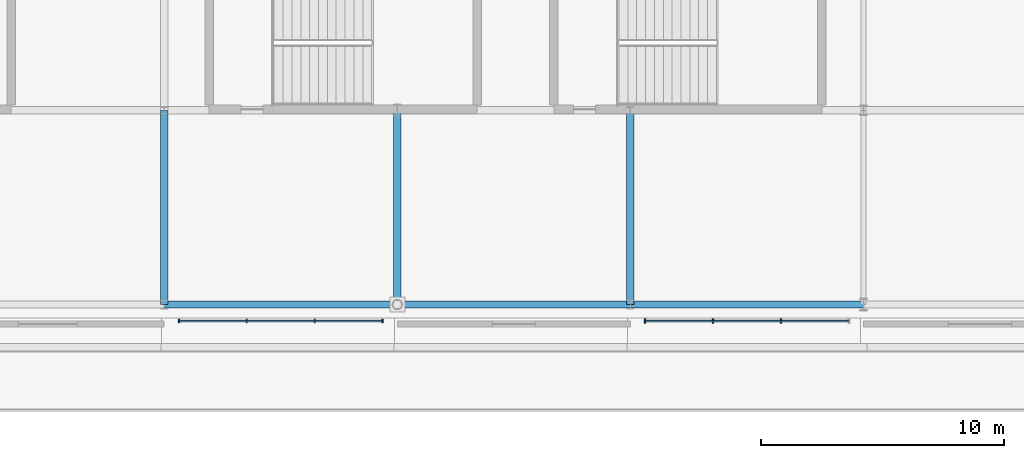
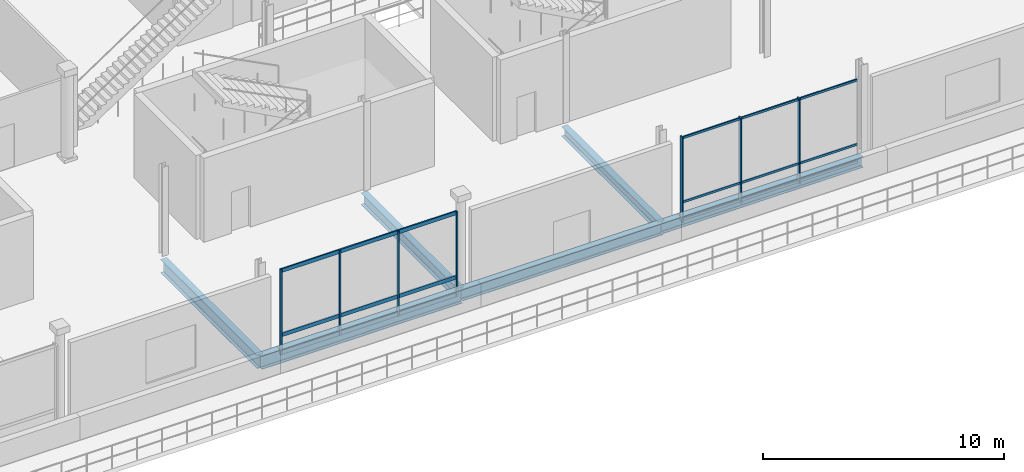
# One storey, part 15 of 36: 13 members, 6 beams, 2 elements without a shape of their own.
"""IFC4 building model written with IfcOpenShell, lengths in metres."""

from ifc_helpers import new_model, si_unit, direction, frame, origin, origin_2d, place, context, subcontext, project, spatial, rectangle, i_section, extrude, material, material_profile, profile_set, type_object, element, aggregate, save


model = new_model("IFC4")

# Units and contexts
model_context = context("Model", 3, precision=1e-05, world=origin(), true_north=direction((0.0, 1.0)))
body_context = subcontext(model_context, "Body", "Model", "MODEL_VIEW")
ifc_project = project(units=[si_unit("LENGTHUNIT", "METRE"), si_unit("AREAUNIT", "SQUARE_METRE"), si_unit("VOLUMEUNIT", "CUBIC_METRE"), si_unit("PLANEANGLEUNIT", "RADIAN"), si_unit("MASSUNIT", "GRAM", prefix="KILO")], contexts=[model_context])

# Site, building, storey
site_placement = place(None, origin())
site = spatial("IfcSite", under=ifc_project, at=site_placement, CompositionType="ELEMENT")
building_placement = place(site_placement, origin())
building = spatial("IfcBuilding", under=site, at=building_placement, Name="Danafjord Basin Convention Centre", CompositionType="ELEMENT")
storey_placement = place(building_placement, frame((0.0, 0.0, 20.39990234375)))
storey = spatial("IfcBuildingStorey", under=building, at=storey_placement, Name="L04", CompositionType="ELEMENT", Elevation=20.39990234375)

# Beams
ifc_material_1 = material(Name="Steel S355", Category="steel")
ifc_material_profile_1 = material_profile(ifc_material_1, i_section(OverallWidth=0.300048828125, OverallDepth=0.5, WebThickness=0.014404296875, FlangeThickness=0.028076171875, FilletRadius=0.027099609375, at=origin_2d()), Name="HEB 500")
ifc_profile_set_1 = profile_set([ifc_material_profile_1], Name="Steel S355")
beam_type_1 = type_object("IfcBeamType", Name="BEAM-BM-HEB500", PredefinedType="BEAM", material=ifc_profile_set_1)
beam_1_placement = place(storey_placement, frame((86.39990234375, 8.0, -0.473876953125), z_axis=(0.0, 1.0, 0.0), x_axis=(-1.0, 0.0, 0.0)))
element("IfcBeam", 1, at=beam_1_placement, inside=storey, type_object=beam_type_1, Name="L04 transverse girder BM-HEB500", PredefinedType="BEAM", context=body_context, shape_type="SweptSolid", body=[
    extrude(i_section(OverallWidth=0.300048828125, OverallDepth=0.5, WebThickness=0.014404296875, FlangeThickness=0.028076171875, FilletRadius=0.027099609375, at=origin_2d()), origin(), (0.0, 0.0, 1.0), 8.0),
])
ifc_material_profile_2 = material_profile(ifc_material_1, i_section(OverallWidth=0.300048828125, OverallDepth=0.550048828125, WebThickness=0.014892578125, FlangeThickness=0.029052734375, FilletRadius=0.027099609375, at=origin_2d()), Name="HEB 550")
ifc_profile_set_2 = profile_set([ifc_material_profile_2], Name="Steel S355")
beam_type_2 = type_object("IfcBeamType", Name="BEAM-BM-HEB550", PredefinedType="BEAM", material=ifc_profile_set_2)
beam_2_placement = place(storey_placement, frame((86.39990234375, 8.0, -0.5009765625), z_axis=(1.0, 0.0, 0.0), x_axis=(0.0, 1.0, 0.0)))
element("IfcBeam", 2, at=beam_2_placement, inside=storey, type_object=beam_type_2, Name="L04 girder BM-HEB550", PredefinedType="BEAM", context=body_context, shape_type="SweptSolid", body=[
    extrude(i_section(OverallWidth=0.300048828125, OverallDepth=0.550048828125, WebThickness=0.014892578125, FlangeThickness=0.029052734375, FilletRadius=0.027099609375, at=origin_2d()), origin(), (0.0, 0.0, 1.0), 9.60009765625),
])
ifc_material_profile_3 = material_profile(ifc_material_1, i_section(OverallWidth=0.300048828125, OverallDepth=0.60009765625, WebThickness=0.015380859375, FlangeThickness=0.030029296875, FilletRadius=0.027099609375, at=origin_2d()), Name="HEB 600")
ifc_profile_set_3 = profile_set([ifc_material_profile_3], Name="Steel S355")
beam_type_3 = type_object("IfcBeamType", Name="BEAM-BM-HEB600", PredefinedType="BEAM", material=ifc_profile_set_3)
beam_3_placement = place(storey_placement, frame((76.800048828125, 8.0, -0.52587890625), z_axis=(1.0, 0.0, 0.0), x_axis=(0.0, 1.0, 0.0)))
element("IfcBeam", 3, at=beam_3_placement, inside=storey, type_object=beam_type_3, Name="L04 girder BM-HEB600", PredefinedType="BEAM", context=body_context, shape_type="SweptSolid", body=[
    extrude(i_section(OverallWidth=0.300048828125, OverallDepth=0.60009765625, WebThickness=0.015380859375, FlangeThickness=0.030029296875, FilletRadius=0.027099609375, at=origin_2d()), origin(), (0.0, 0.0, 1.0), 9.599853515625),
])
beam_4_placement = place(storey_placement, frame((76.800048828125, 8.0, -0.52392578125), z_axis=(0.0, 1.0, 0.0), x_axis=(-1.0, 0.0, 0.0)))
element("IfcBeam", 4, at=beam_4_placement, inside=storey, type_object=beam_type_3, Name="L04 transverse girder BM-HEB600", PredefinedType="BEAM", context=body_context, shape_type="SweptSolid", body=[
    extrude(i_section(OverallWidth=0.300048828125, OverallDepth=0.60009765625, WebThickness=0.015380859375, FlangeThickness=0.030029296875, FilletRadius=0.027099609375, at=origin_2d()), origin(), (0.0, 0.0, 1.0), 8.0),
])
ifc_material_profile_4 = material_profile(ifc_material_1, i_section(OverallWidth=0.300048828125, OverallDepth=0.699951171875, WebThickness=0.01708984375, FlangeThickness=0.031982421875, FilletRadius=0.027099609375, at=origin_2d()), Name="HEB 700")
ifc_profile_set_4 = profile_set([ifc_material_profile_4], Name="Steel S355")
beam_type_4 = type_object("IfcBeamType", Name="BEAM-BM-HEB700", PredefinedType="BEAM", material=ifc_profile_set_4)
beam_5_placement = place(storey_placement, frame((67.199951171875, 8.0, -0.575927734375), z_axis=(1.0, 0.0, 0.0), x_axis=(0.0, 1.0, 0.0)))
element("IfcBeam", 5, at=beam_5_placement, inside=storey, type_object=beam_type_4, Name="L04 girder BM-HEB700", PredefinedType="BEAM", context=body_context, shape_type="SweptSolid", body=[
    extrude(i_section(OverallWidth=0.300048828125, OverallDepth=0.699951171875, WebThickness=0.01708984375, FlangeThickness=0.031982421875, FilletRadius=0.027099609375, at=origin_2d()), origin(), (0.0, 0.0, 1.0), 9.60009765625),
])
beam_6_placement = place(storey_placement, frame((67.199951171875, 8.0, -0.573974609375), z_axis=(0.0, 1.0, 0.0), x_axis=(-1.0, 0.0, 0.0)))
element("IfcBeam", 6, at=beam_6_placement, inside=storey, type_object=beam_type_4, Name="L04 transverse girder BM-HEB700", PredefinedType="BEAM", context=body_context, shape_type="SweptSolid", body=[
    extrude(i_section(OverallWidth=0.300048828125, OverallDepth=0.699951171875, WebThickness=0.01708984375, FlangeThickness=0.031982421875, FilletRadius=0.027099609375, at=origin_2d()), origin(), (0.0, 0.0, 1.0), 8.0),
])

# Curtain wall, members
ifc_material_2 = material(Name="Anodised aluminium and triple glazing", Category="aluminium")
curtain_wall_type = type_object("IfcCurtainWallType", Name="CW-CW-TERR", PredefinedType="NOTDEFINED", material=ifc_material_2)
curtain_wall_1_placement = place(storey_placement, origin())
curtain_wall_1 = element("IfcCurtainWall", 7, at=curtain_wall_1_placement, inside=storey, type_object=curtain_wall_type, Name="L04 CW-TERR unitised curtain wall bay 35", PredefinedType="NOTDEFINED")
ifc_material_3 = material(Name="Anodised aluminium EN AW-6060", Category="aluminium")
ifc_material_profile_5 = material_profile(ifc_material_3, rectangle(XDim=0.06005859375, YDim=0.139892578125, at=origin_2d()), Name="MULL 60x140")
ifc_profile_set_5 = profile_set([ifc_material_profile_5], Name="Anodised aluminium EN AW-6060")
member_type_1 = type_object("IfcMemberType", Name="MEM-ML-140", PredefinedType="MULLION", material=ifc_profile_set_5)
member_1_placement = place(storey_placement, frame((67.800048828125, 7.320068359375, -0.02490234375), z_axis=(0.0, 0.0, 1.0), x_axis=(1.0, 0.0, 0.0)))
member_1 = element("IfcMember", 8, at=member_1_placement, type_object=member_type_1, Name="CW-L04-035 mullion 1", PredefinedType="MULLION", context=body_context, shape_type="SweptSolid", body=[
    extrude(rectangle(XDim=0.06005859375, YDim=0.139892578125, at=origin_2d()), origin(), (0.0, 0.0, 1.0), 4.294921875),
])
member_2_placement = place(storey_placement, frame((70.60009765625, 7.320068359375, -0.02490234375), z_axis=(0.0, 0.0, 1.0), x_axis=(1.0, 0.0, 0.0)))
member_2 = element("IfcMember", 9, at=member_2_placement, type_object=member_type_1, Name="CW-L04-035 mullion 2", PredefinedType="MULLION", context=body_context, shape_type="SweptSolid", body=[
    extrude(rectangle(XDim=0.06005859375, YDim=0.139892578125, at=origin_2d()), origin(), (0.0, 0.0, 1.0), 4.294921875),
])
member_3_placement = place(storey_placement, frame((73.39990234375, 7.320068359375, -0.02490234375), z_axis=(0.0, 0.0, 1.0), x_axis=(1.0, 0.0, 0.0)))
member_3 = element("IfcMember", 10, at=member_3_placement, type_object=member_type_1, Name="CW-L04-035 mullion 3", PredefinedType="MULLION", context=body_context, shape_type="SweptSolid", body=[
    extrude(rectangle(XDim=0.06005859375, YDim=0.139892578125, at=origin_2d()), origin(), (0.0, 0.0, 1.0), 4.294921875),
])
member_4_placement = place(storey_placement, frame((76.199951171875, 7.320068359375, -0.02490234375), z_axis=(0.0, 0.0, 1.0), x_axis=(1.0, 0.0, 0.0)))
member_4 = element("IfcMember", 11, at=member_4_placement, type_object=member_type_1, Name="CW-L04-035 mullion 4", PredefinedType="MULLION", context=body_context, shape_type="SweptSolid", body=[
    extrude(rectangle(XDim=0.06005859375, YDim=0.139892578125, at=origin_2d()), origin(), (0.0, 0.0, 1.0), 4.294921875),
])

curtain_wall_2_placement = place(storey_placement, origin())
curtain_wall_2 = element("IfcCurtainWall", 12, at=curtain_wall_2_placement, inside=storey, type_object=curtain_wall_type, Name="L04 CW-TERR unitised curtain wall bay 36", PredefinedType="NOTDEFINED")
ifc_material_profile_6 = material_profile(ifc_material_3, rectangle(XDim=0.06005859375, YDim=0.179931640625, at=origin_2d()), Name="MULL 60x180")
ifc_profile_set_6 = profile_set([ifc_material_profile_6], Name="Anodised aluminium EN AW-6060")
member_type_2 = type_object("IfcMemberType", Name="MEM-ML-180", PredefinedType="MULLION", material=ifc_profile_set_6)
member_5_placement = place(storey_placement, frame((87.0, 7.320068359375, -0.02490234375), z_axis=(0.0, 0.0, 1.0), x_axis=(1.0, 0.0, 0.0)))
member_5 = element("IfcMember", 13, at=member_5_placement, type_object=member_type_2, Name="CW-L04-036 mullion 1", PredefinedType="MULLION", context=body_context, shape_type="SweptSolid", body=[
    extrude(rectangle(XDim=0.06005859375, YDim=0.179931640625, at=origin_2d()), origin(), (0.0, 0.0, 1.0), 4.294921875),
])
member_6_placement = place(storey_placement, frame((89.800048828125, 7.320068359375, -0.02490234375), z_axis=(0.0, 0.0, 1.0), x_axis=(1.0, 0.0, 0.0)))
member_6 = element("IfcMember", 14, at=member_6_placement, type_object=member_type_2, Name="CW-L04-036 mullion 2", PredefinedType="MULLION", context=body_context, shape_type="SweptSolid", body=[
    extrude(rectangle(XDim=0.06005859375, YDim=0.179931640625, at=origin_2d()), origin(), (0.0, 0.0, 1.0), 4.294921875),
])
member_7_placement = place(storey_placement, frame((92.60009765625, 7.320068359375, -0.02490234375), z_axis=(0.0, 0.0, 1.0), x_axis=(1.0, 0.0, 0.0)))
member_7 = element("IfcMember", 15, at=member_7_placement, type_object=member_type_2, Name="CW-L04-036 mullion 3", PredefinedType="MULLION", context=body_context, shape_type="SweptSolid", body=[
    extrude(rectangle(XDim=0.06005859375, YDim=0.179931640625, at=origin_2d()), origin(), (0.0, 0.0, 1.0), 4.294921875),
])
ifc_material_profile_7 = material_profile(ifc_material_3, rectangle(XDim=0.06005859375, YDim=0.110107421875, at=origin_2d()), Name="TRAN 60x110")
ifc_profile_set_7 = profile_set([ifc_material_profile_7], Name="Anodised aluminium EN AW-6060")
member_type_3 = type_object("IfcMemberType", Name="MEM-TR-110", PredefinedType="USERDEFINED", material=ifc_profile_set_7)
member_8_placement = place(storey_placement, frame((87.0, 7.320068359375, 0.06005859375), z_axis=(1.0, 0.0, 0.0), x_axis=(0.0, 1.0, 0.0)))
member_8 = element("IfcMember", 16, at=member_8_placement, type_object=member_type_3, Name="CW-L04-036 transom 1", ObjectType="TRANSOM", PredefinedType="USERDEFINED", context=body_context, shape_type="SweptSolid", body=[
    extrude(rectangle(XDim=0.06005859375, YDim=0.110107421875, at=origin_2d()), origin(), (0.0, 0.0, 1.0), 8.39990234375),
])
member_9_placement = place(storey_placement, frame((87.0, 7.320068359375, 0.9501953125), z_axis=(1.0, 0.0, 0.0), x_axis=(0.0, 1.0, 0.0)))
member_9 = element("IfcMember", 17, at=member_9_placement, type_object=member_type_3, Name="CW-L04-036 transom 2", ObjectType="TRANSOM", PredefinedType="USERDEFINED", context=body_context, shape_type="SweptSolid", body=[
    extrude(rectangle(XDim=0.06005859375, YDim=0.110107421875, at=origin_2d()), origin(), (0.0, 0.0, 1.0), 8.39990234375),
])
member_10_placement = place(storey_placement, frame((87.0, 7.320068359375, 4.2001953125), z_axis=(1.0, 0.0, 0.0), x_axis=(0.0, 1.0, 0.0)))
member_10 = element("IfcMember", 18, at=member_10_placement, type_object=member_type_3, Name="CW-L04-036 transom 3", ObjectType="TRANSOM", PredefinedType="USERDEFINED", context=body_context, shape_type="SweptSolid", body=[
    extrude(rectangle(XDim=0.06005859375, YDim=0.110107421875, at=origin_2d()), origin(), (0.0, 0.0, 1.0), 8.39990234375),
])
aggregate(curtain_wall_2, [member_5, member_6, member_7, member_8, member_9, member_10])

# Member
ifc_material_profile_8 = material_profile(ifc_material_3, rectangle(XDim=0.06494140625, YDim=0.18994140625, at=origin_2d()), Name="TRAN 65x190")
ifc_profile_set_8 = profile_set([ifc_material_profile_8], Name="Anodised aluminium EN AW-6060")
member_type_4 = type_object("IfcMemberType", Name="MEM-TR-190", PredefinedType="USERDEFINED", material=ifc_profile_set_8)
member_11_placement = place(storey_placement, frame((67.800048828125, 7.320068359375, 0.06005859375), z_axis=(1.0, 0.0, 0.0), x_axis=(0.0, 1.0, 0.0)))
member_11 = element("IfcMember", 19, at=member_11_placement, type_object=member_type_4, Name="CW-L04-035 transom 1", ObjectType="TRANSOM", PredefinedType="USERDEFINED", context=body_context, shape_type="SweptSolid", body=[
    extrude(rectangle(XDim=0.06494140625, YDim=0.18994140625, at=origin_2d()), origin(), (0.0, 0.0, 1.0), 8.39990234375),
])

member_12_placement = place(storey_placement, frame((67.800048828125, 7.320068359375, 0.9501953125), z_axis=(1.0, 0.0, 0.0), x_axis=(0.0, 1.0, 0.0)))
member_12 = element("IfcMember", 20, at=member_12_placement, type_object=member_type_4, Name="CW-L04-035 transom 2", ObjectType="TRANSOM", PredefinedType="USERDEFINED", context=body_context, shape_type="SweptSolid", body=[
    extrude(rectangle(XDim=0.06494140625, YDim=0.18994140625, at=origin_2d()), origin(), (0.0, 0.0, 1.0), 8.39990234375),
])

member_13_placement = place(storey_placement, frame((67.800048828125, 7.320068359375, 4.2001953125), z_axis=(1.0, 0.0, 0.0), x_axis=(0.0, 1.0, 0.0)))
member_13 = element("IfcMember", 21, at=member_13_placement, type_object=member_type_4, Name="CW-L04-035 transom 3", ObjectType="TRANSOM", PredefinedType="USERDEFINED", context=body_context, shape_type="SweptSolid", body=[
    extrude(rectangle(XDim=0.06494140625, YDim=0.18994140625, at=origin_2d()), origin(), (0.0, 0.0, 1.0), 8.39990234375),
])

aggregate(curtain_wall_1, [member_1, member_2, member_3, member_4, member_11, member_12, member_13])

save(model, "model.ifc")
